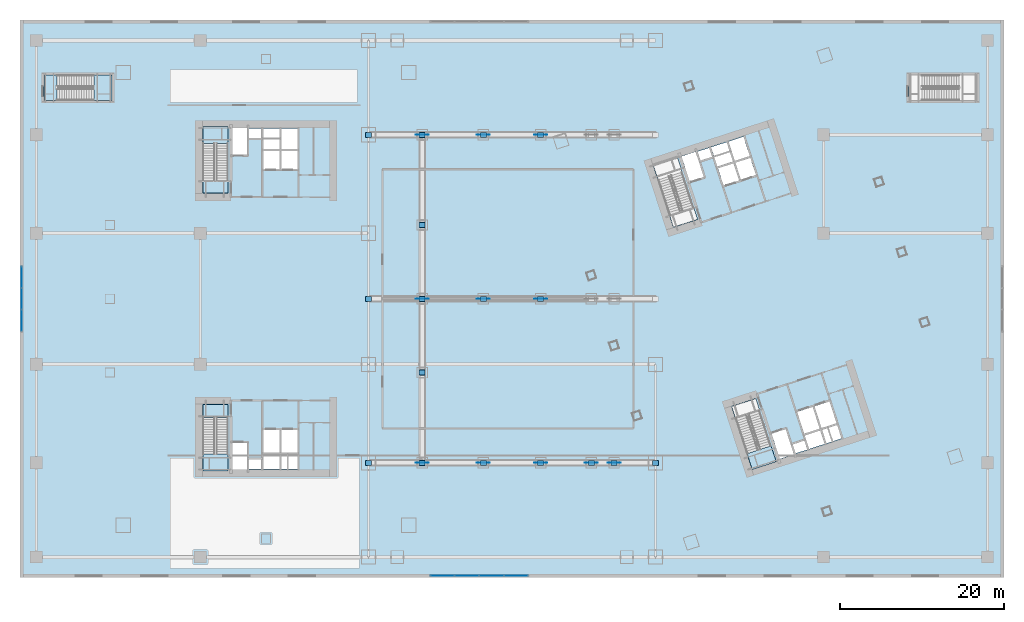
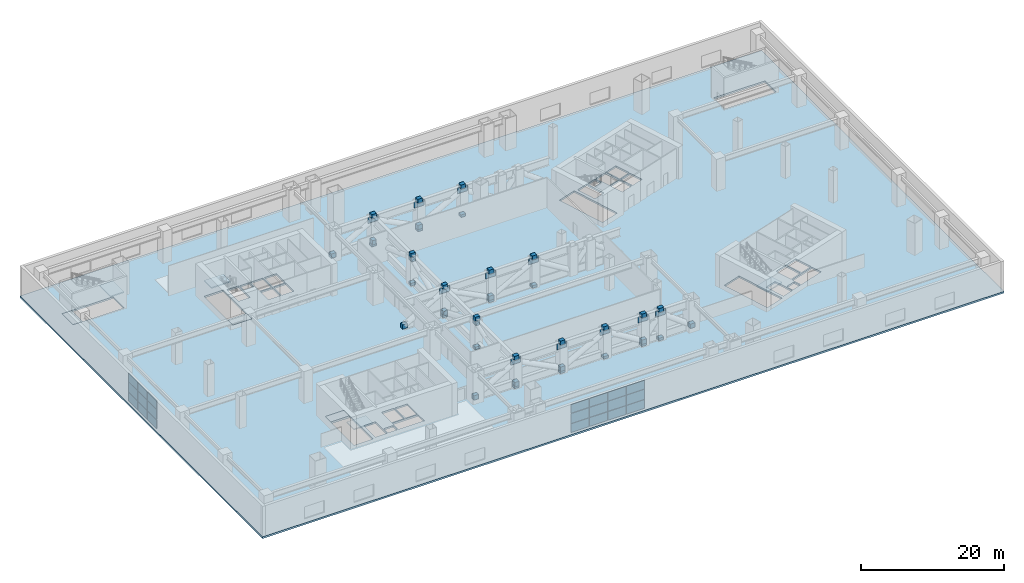
# One storey, part 21 of 34: 71 plates, 8 slabs, 6 elements without a shape of their own.
"""IFC4 building model written with IfcOpenShell, lengths in metres."""

from ifc_helpers import new_model, si_unit, direction, frame, origin, origin_2d, place, context, subcontext, project, spatial, polyline, rectangle, outline, extrude, material, layer, layer_set, type_object, element, aggregate, save


model = new_model("IFC4")

# Units and contexts
model_context = context("Model", 3, precision=1e-05, world=origin(), true_north=direction((0.0, 1.0)))
body_context = subcontext(model_context, "Body", "Model", "MODEL_VIEW")
ifc_project = project(units=[si_unit("LENGTHUNIT", "METRE"), si_unit("AREAUNIT", "SQUARE_METRE"), si_unit("VOLUMEUNIT", "CUBIC_METRE"), si_unit("PLANEANGLEUNIT", "RADIAN"), si_unit("MASSUNIT", "GRAM", prefix="KILO")], contexts=[model_context])

# Site, building, storey
site_placement = place(None, origin())
site = spatial("IfcSite", under=ifc_project, at=site_placement, CompositionType="ELEMENT")
building_placement = place(site_placement, origin())
building = spatial("IfcBuilding", under=site, at=building_placement, Name="Qiaolan Cultural Towers", CompositionType="ELEMENT")
storey_placement = place(building_placement, frame((0.0, 0.0, 16.5)))
storey = spatial("IfcBuildingStorey", under=building, at=storey_placement, Name="L03", CompositionType="ELEMENT", Elevation=16.5)

# Curtain wall, plates
ifc_material_1 = material(Name="Unitized Anodized Aluminium Curtain Wall System", Category="aluminium")
ifc_layer_1 = layer(ifc_material_1, 0.199951171875)
ifc_layer_set_1 = layer_set([ifc_layer_1], Name="Unitized Anodized Aluminium Curtain Wall System")
curtain_wall_type_1 = type_object("IfcCurtainWallType", Name="CWS-01", PredefinedType="NOTDEFINED", material=ifc_layer_set_1)
curtain_wall_1_placement = place(storey_placement, origin())
curtain_wall_1 = element("IfcCurtainWall", 1, at=curtain_wall_1_placement, inside=storey, type_object=curtain_wall_type_1, Name="L03 South Atrium Curtain Wall", PredefinedType="NOTDEFINED")
ifc_material_2 = material(Name="Laminated Low-E Insulating Glass Unit", Category="glass")
ifc_layer_2 = layer(ifc_material_2, 0.035888671875)
ifc_layer_set_2 = layer_set([ifc_layer_2], Name="Laminated Low-E Insulating Glass Unit")
plate_type_1 = type_object("IfcPlateType", Name="CWS-01-PNL", PredefinedType="CURTAIN_PANEL", material=ifc_layer_set_2)
plate_1_placement = place(storey_placement, frame((51.518798828125, 0.219970703125, 0.21484375), z_axis=(0.0, 0.0, 1.0), x_axis=(1.0, 0.0, 0.0)))
plate_1 = element("IfcPlate", 2, at=plate_1_placement, type_object=plate_type_1, Name="CW-1 panel 1.1", PredefinedType="CURTAIN_PANEL", context=body_context, shape_type="SweptSolid", body=[
    extrude(rectangle(XDim=2.887451171875, YDim=0.035888671875, at=origin_2d()), origin(), (0.0, 0.0, 1.0), 1.472412109375),
])
plate_2_placement = place(storey_placement, frame((51.518798828125, 0.219970703125, 1.75244140625), z_axis=(0.0, 0.0, 1.0), x_axis=(1.0, 0.0, 0.0)))
plate_2 = element("IfcPlate", 3, at=plate_2_placement, type_object=plate_type_1, Name="CW-1 panel 1.2", PredefinedType="CURTAIN_PANEL", context=body_context, shape_type="SweptSolid", body=[
    extrude(rectangle(XDim=2.887451171875, YDim=0.035888671875, at=origin_2d()), origin(), (0.0, 0.0, 1.0), 1.695068359375),
])
plate_3_placement = place(storey_placement, frame((51.518798828125, 0.219970703125, 3.5126953125), z_axis=(0.0, 0.0, 1.0), x_axis=(1.0, 0.0, 0.0)))
plate_3 = element("IfcPlate", 4, at=plate_3_placement, type_object=plate_type_1, Name="CW-1 panel 1.3", PredefinedType="CURTAIN_PANEL", context=body_context, shape_type="SweptSolid", body=[
    extrude(rectangle(XDim=2.887451171875, YDim=0.035888671875, at=origin_2d()), origin(), (0.0, 0.0, 1.0), 1.472412109375),
])
plate_4_placement = place(storey_placement, frame((54.5, 0.219970703125, 0.21484375), z_axis=(0.0, 0.0, 1.0), x_axis=(1.0, 0.0, 0.0)))
plate_4 = element("IfcPlate", 5, at=plate_4_placement, type_object=plate_type_1, Name="CW-1 panel 2.1", PredefinedType="CURTAIN_PANEL", context=body_context, shape_type="SweptSolid", body=[
    extrude(rectangle(XDim=2.925048828125, YDim=0.035888671875, at=origin_2d()), origin(), (0.0, 0.0, 1.0), 1.472412109375),
])
plate_5_placement = place(storey_placement, frame((54.5, 0.219970703125, 1.75244140625), z_axis=(0.0, 0.0, 1.0), x_axis=(1.0, 0.0, 0.0)))
plate_5 = element("IfcPlate", 6, at=plate_5_placement, type_object=plate_type_1, Name="CW-1 panel 2.2", PredefinedType="CURTAIN_PANEL", context=body_context, shape_type="SweptSolid", body=[
    extrude(rectangle(XDim=2.925048828125, YDim=0.035888671875, at=origin_2d()), origin(), (0.0, 0.0, 1.0), 1.695068359375),
])
plate_6_placement = place(storey_placement, frame((54.5, 0.219970703125, 3.5126953125), z_axis=(0.0, 0.0, 1.0), x_axis=(1.0, 0.0, 0.0)))
plate_6 = element("IfcPlate", 7, at=plate_6_placement, type_object=plate_type_1, Name="CW-1 panel 2.3", PredefinedType="CURTAIN_PANEL", context=body_context, shape_type="SweptSolid", body=[
    extrude(rectangle(XDim=2.925048828125, YDim=0.035888671875, at=origin_2d()), origin(), (0.0, 0.0, 1.0), 1.472412109375),
])
plate_7_placement = place(storey_placement, frame((57.5, 0.219970703125, 0.21484375), z_axis=(0.0, 0.0, 1.0), x_axis=(1.0, 0.0, 0.0)))
plate_7 = element("IfcPlate", 8, at=plate_7_placement, type_object=plate_type_1, Name="CW-1 panel 3.1", PredefinedType="CURTAIN_PANEL", context=body_context, shape_type="SweptSolid", body=[
    extrude(rectangle(XDim=2.925048828125, YDim=0.035888671875, at=origin_2d()), origin(), (0.0, 0.0, 1.0), 1.472412109375),
])
plate_8_placement = place(storey_placement, frame((57.5, 0.219970703125, 1.75244140625), z_axis=(0.0, 0.0, 1.0), x_axis=(1.0, 0.0, 0.0)))
plate_8 = element("IfcPlate", 9, at=plate_8_placement, type_object=plate_type_1, Name="CW-1 panel 3.2", PredefinedType="CURTAIN_PANEL", context=body_context, shape_type="SweptSolid", body=[
    extrude(rectangle(XDim=2.925048828125, YDim=0.035888671875, at=origin_2d()), origin(), (0.0, 0.0, 1.0), 1.695068359375),
])
plate_9_placement = place(storey_placement, frame((57.5, 0.219970703125, 3.5126953125), z_axis=(0.0, 0.0, 1.0), x_axis=(1.0, 0.0, 0.0)))
plate_9 = element("IfcPlate", 10, at=plate_9_placement, type_object=plate_type_1, Name="CW-1 panel 3.3", PredefinedType="CURTAIN_PANEL", context=body_context, shape_type="SweptSolid", body=[
    extrude(rectangle(XDim=2.925048828125, YDim=0.035888671875, at=origin_2d()), origin(), (0.0, 0.0, 1.0), 1.472412109375),
])
plate_10_placement = place(storey_placement, frame((60.481201171875, 0.219970703125, 0.21484375), z_axis=(0.0, 0.0, 1.0), x_axis=(1.0, 0.0, 0.0)))
plate_10 = element("IfcPlate", 11, at=plate_10_placement, type_object=plate_type_1, Name="CW-1 panel 4.1", PredefinedType="CURTAIN_PANEL", context=body_context, shape_type="SweptSolid", body=[
    extrude(rectangle(XDim=2.887451171875, YDim=0.035888671875, at=origin_2d()), origin(), (0.0, 0.0, 1.0), 1.472412109375),
])
plate_11_placement = place(storey_placement, frame((60.481201171875, 0.219970703125, 1.75244140625), z_axis=(0.0, 0.0, 1.0), x_axis=(1.0, 0.0, 0.0)))
plate_11 = element("IfcPlate", 12, at=plate_11_placement, type_object=plate_type_1, Name="CW-1 panel 4.2", PredefinedType="CURTAIN_PANEL", context=body_context, shape_type="SweptSolid", body=[
    extrude(rectangle(XDim=2.887451171875, YDim=0.035888671875, at=origin_2d()), origin(), (0.0, 0.0, 1.0), 1.695068359375),
])
plate_12_placement = place(storey_placement, frame((60.481201171875, 0.219970703125, 3.5126953125), z_axis=(0.0, 0.0, 1.0), x_axis=(1.0, 0.0, 0.0)))
plate_12 = element("IfcPlate", 13, at=plate_12_placement, type_object=plate_type_1, Name="CW-1 panel 4.3", PredefinedType="CURTAIN_PANEL", context=body_context, shape_type="SweptSolid", body=[
    extrude(rectangle(XDim=2.887451171875, YDim=0.035888671875, at=origin_2d()), origin(), (0.0, 0.0, 1.0), 1.472412109375),
])
aggregate(curtain_wall_1, [plate_1, plate_2, plate_3, plate_4, plate_5, plate_6, plate_7, plate_8, plate_9, plate_10, plate_11, plate_12])

ifc_material_3 = material(Name="Unitized Anodized Aluminium Curtain Wall System", Category="aluminium")
ifc_layer_3 = layer(ifc_material_3, 0.199951171875)
ifc_layer_set_3 = layer_set([ifc_layer_3], Name="Unitized Anodized Aluminium Curtain Wall System")
curtain_wall_type_2 = type_object("IfcCurtainWallType", Name="CWS-04", PredefinedType="NOTDEFINED", material=ifc_layer_set_3)
curtain_wall_2_placement = place(storey_placement, origin())
curtain_wall_2 = element("IfcCurtainWall", 14, at=curtain_wall_2_placement, inside=storey, type_object=curtain_wall_type_2, Name="L03 West Exhibition Foyer Curtain Wall", PredefinedType="NOTDEFINED")
ifc_material_4 = material(Name="Laminated Low-E Insulating Glass Unit", Category="glass")
ifc_layer_4 = layer(ifc_material_4, 0.035888671875)
ifc_layer_set_4 = layer_set([ifc_layer_4], Name="Laminated Low-E Insulating Glass Unit")
plate_type_2 = type_object("IfcPlateType", Name="CWS-04-PNL", PredefinedType="CURTAIN_PANEL", material=ifc_layer_set_4)
plate_13_placement = place(storey_placement, frame((0.219970703125, 31.35205078125, 0.21484375), z_axis=(0.0, 0.0, 1.0), x_axis=(0.0, 1.0, 0.0)))
plate_13 = element("IfcPlate", 15, at=plate_13_placement, type_object=plate_type_2, Name="CW-4 panel 1.1", PredefinedType="CURTAIN_PANEL", context=body_context, shape_type="SweptSolid", body=[
    extrude(rectangle(XDim=2.55419921875, YDim=0.035888671875, at=origin_2d()), origin(), (0.0, 0.0, 1.0), 1.472412109375),
])
plate_14_placement = place(storey_placement, frame((0.219970703125, 31.35205078125, 1.75244140625), z_axis=(0.0, 0.0, 1.0), x_axis=(0.0, 1.0, 0.0)))
plate_14 = element("IfcPlate", 16, at=plate_14_placement, type_object=plate_type_2, Name="CW-4 panel 1.2", PredefinedType="CURTAIN_PANEL", context=body_context, shape_type="SweptSolid", body=[
    extrude(rectangle(XDim=2.55419921875, YDim=0.035888671875, at=origin_2d()), origin(), (0.0, 0.0, 1.0), 1.695068359375),
])
plate_15_placement = place(storey_placement, frame((0.219970703125, 31.35205078125, 3.5126953125), z_axis=(0.0, 0.0, 1.0), x_axis=(0.0, 1.0, 0.0)))
plate_15 = element("IfcPlate", 17, at=plate_15_placement, type_object=plate_type_2, Name="CW-4 panel 1.3", PredefinedType="CURTAIN_PANEL", context=body_context, shape_type="SweptSolid", body=[
    extrude(rectangle(XDim=2.55419921875, YDim=0.035888671875, at=origin_2d()), origin(), (0.0, 0.0, 1.0), 1.472412109375),
])
plate_16_placement = place(storey_placement, frame((0.219970703125, 34.0, 0.21484375), z_axis=(0.0, 0.0, 1.0), x_axis=(0.0, 1.0, 0.0)))
plate_16 = element("IfcPlate", 18, at=plate_16_placement, type_object=plate_type_2, Name="CW-4 panel 2.1", PredefinedType="CURTAIN_PANEL", context=body_context, shape_type="SweptSolid", body=[
    extrude(rectangle(XDim=2.591552734375, YDim=0.035888671875, at=origin_2d()), origin(), (0.0, 0.0, 1.0), 1.472412109375),
])
plate_17_placement = place(storey_placement, frame((0.219970703125, 34.0, 1.75244140625), z_axis=(0.0, 0.0, 1.0), x_axis=(0.0, 1.0, 0.0)))
plate_17 = element("IfcPlate", 19, at=plate_17_placement, type_object=plate_type_2, Name="CW-4 panel 2.2", PredefinedType="CURTAIN_PANEL", context=body_context, shape_type="SweptSolid", body=[
    extrude(rectangle(XDim=2.591552734375, YDim=0.035888671875, at=origin_2d()), origin(), (0.0, 0.0, 1.0), 1.695068359375),
])
plate_18_placement = place(storey_placement, frame((0.219970703125, 34.0, 3.5126953125), z_axis=(0.0, 0.0, 1.0), x_axis=(0.0, 1.0, 0.0)))
plate_18 = element("IfcPlate", 20, at=plate_18_placement, type_object=plate_type_2, Name="CW-4 panel 2.3", PredefinedType="CURTAIN_PANEL", context=body_context, shape_type="SweptSolid", body=[
    extrude(rectangle(XDim=2.591552734375, YDim=0.035888671875, at=origin_2d()), origin(), (0.0, 0.0, 1.0), 1.472412109375),
])
plate_19_placement = place(storey_placement, frame((0.219970703125, 36.64794921875, 0.21484375), z_axis=(0.0, 0.0, 1.0), x_axis=(0.0, 1.0, 0.0)))
plate_19 = element("IfcPlate", 21, at=plate_19_placement, type_object=plate_type_2, Name="CW-4 panel 3.1", PredefinedType="CURTAIN_PANEL", context=body_context, shape_type="SweptSolid", body=[
    extrude(rectangle(XDim=2.55419921875, YDim=0.035888671875, at=origin_2d()), origin(), (0.0, 0.0, 1.0), 1.472412109375),
])
plate_20_placement = place(storey_placement, frame((0.219970703125, 36.64794921875, 1.75244140625), z_axis=(0.0, 0.0, 1.0), x_axis=(0.0, 1.0, 0.0)))
plate_20 = element("IfcPlate", 22, at=plate_20_placement, type_object=plate_type_2, Name="CW-4 panel 3.2", PredefinedType="CURTAIN_PANEL", context=body_context, shape_type="SweptSolid", body=[
    extrude(rectangle(XDim=2.55419921875, YDim=0.035888671875, at=origin_2d()), origin(), (0.0, 0.0, 1.0), 1.695068359375),
])
plate_21_placement = place(storey_placement, frame((0.219970703125, 36.64794921875, 3.5126953125), z_axis=(0.0, 0.0, 1.0), x_axis=(0.0, 1.0, 0.0)))
plate_21 = element("IfcPlate", 23, at=plate_21_placement, type_object=plate_type_2, Name="CW-4 panel 3.3", PredefinedType="CURTAIN_PANEL", context=body_context, shape_type="SweptSolid", body=[
    extrude(rectangle(XDim=2.55419921875, YDim=0.035888671875, at=origin_2d()), origin(), (0.0, 0.0, 1.0), 1.472412109375),
])
aggregate(curtain_wall_2, [plate_13, plate_14, plate_15, plate_16, plate_17, plate_18, plate_19, plate_20, plate_21])

# Plates
ifc_material_5 = material(Name="Steel Q355B", Category="steel")
ifc_layer_5 = layer(ifc_material_5, 0.035888671875)
ifc_layer_set_5 = layer_set([ifc_layer_5], Name="Steel Q355B")
plate_type_3 = type_object("IfcPlateType", Name="PL-CONN-36", PredefinedType="USERDEFINED", material=ifc_layer_set_5)
for number, where, z_axis, x_axis, name in (
    (24, (42.5, 14.0, 0.330078125), (0.0, 0.0, 1.0), (1.0, 0.0, 0.0), "L03 Brace End Connection Gusset Plate GP-02-0001"),
    (25, (56.5, 14.0, 0.330078125), (0.0, 0.0, 1.0), (1.0, 0.0, 0.0), "L03 Brace End Connection Gusset Plate GP-02-0002"),
    (26, (69.671875, 14.0, 0.330078125), (0.0, 0.0, 1.0), (1.0, 0.0, 0.0), "L03 Brace End Connection Gusset Plate GP-02-0003"),
    (27, (77.5, 14.0, 0.330078125), (0.0, 0.0, 1.0), (1.0, 0.0, 0.0), "L03 Brace End Connection Gusset Plate GP-02-0004"),
    (28, (49.050048828125, 14.0, -0.31982421875), (0.0, 0.0, 1.0), (1.0, 0.0, 0.0), "L03 Brace End Connection Gusset Plate GP-02-0005"),
    (29, (49.050048828125, 14.0, 4.77978515625), (0.0, 0.0, 1.0), (1.0, 0.0, 0.0), "L03 Brace End Connection Gusset Plate GP-02-0006"),
    (30, (56.5, 14.0, -0.31982421875), (0.0, 0.0, 1.0), (1.0, 0.0, 0.0), "L03 Brace End Connection Gusset Plate GP-02-0007"),
    (31, (56.5, 14.0, 4.77978515625), (0.0, 0.0, 1.0), (1.0, 0.0, 0.0), "L03 Brace End Connection Gusset Plate GP-02-0008"),
    (32, (63.5, 14.0, -0.31982421875), (0.0, 0.0, 1.0), (1.0, 0.0, 0.0), "L03 Brace End Connection Gusset Plate GP-02-0009"),
    (33, (63.5, 14.0, 4.77978515625), (0.0, 0.0, 1.0), (1.0, 0.0, 0.0), "L03 Brace End Connection Gusset Plate GP-02-0010"),
    (34, (69.671875, 14.0, -0.31982421875), (0.0, 0.0, 1.0), (1.0, 0.0, 0.0), "L03 Brace End Connection Gusset Plate GP-02-0011"),
    (35, (69.671875, 14.0, 4.77978515625), (0.0, 0.0, 1.0), (1.0, 0.0, 0.0), "L03 Brace End Connection Gusset Plate GP-02-0012"),
    (36, (72.453125, 14.0, -0.31982421875), (0.0, 0.0, 1.0), (1.0, 0.0, 0.0), "L03 Brace End Connection Gusset Plate GP-02-0013"),
    (37, (72.453125, 14.0, 4.77978515625), (0.0, 0.0, 1.0), (1.0, 0.0, 0.0), "L03 Brace End Connection Gusset Plate GP-02-0014"),
    (38, (42.5, 34.0, 0.330078125), (0.0, 0.0, 1.0), (1.0, 0.0, 0.0), "L03 Brace End Connection Gusset Plate GP-02-0015"),
    (39, (56.5, 34.0, 0.330078125), (0.0, 0.0, 1.0), (1.0, 0.0, 0.0), "L03 Brace End Connection Gusset Plate GP-02-0016"),
    (40, (49.050048828125, 34.0, -0.31982421875), (0.0, 0.0, 1.0), (1.0, 0.0, 0.0), "L03 Brace End Connection Gusset Plate GP-02-0019"),
    (41, (49.050048828125, 34.0, 4.77978515625), (0.0, 0.0, 1.0), (1.0, 0.0, 0.0), "L03 Brace End Connection Gusset Plate GP-02-0020"),
    (42, (56.5, 34.0, -0.31982421875), (0.0, 0.0, 1.0), (1.0, 0.0, 0.0), "L03 Brace End Connection Gusset Plate GP-02-0021"),
    (43, (56.5, 34.0, 4.77978515625), (0.0, 0.0, 1.0), (1.0, 0.0, 0.0), "L03 Brace End Connection Gusset Plate GP-02-0022"),
    (44, (63.5, 34.0, -0.31982421875), (0.0, 0.0, 1.0), (1.0, 0.0, 0.0), "L03 Brace End Connection Gusset Plate GP-02-0023"),
    (45, (63.5, 34.0, 4.77978515625), (0.0, 0.0, 1.0), (1.0, 0.0, 0.0), "L03 Brace End Connection Gusset Plate GP-02-0024"),
    (46, (42.5, 54.0, 0.330078125), (0.0, 0.0, 1.0), (1.0, 0.0, 0.0), "L03 Brace End Connection Gusset Plate GP-02-0029"),
    (47, (56.5, 54.0, 0.330078125), (0.0, 0.0, 1.0), (1.0, 0.0, 0.0), "L03 Brace End Connection Gusset Plate GP-02-0030"),
    (48, (49.050048828125, 54.0, -0.31982421875), (0.0, 0.0, 1.0), (1.0, 0.0, 0.0), "L03 Brace End Connection Gusset Plate GP-02-0033"),
    (49, (49.050048828125, 54.0, 4.77978515625), (0.0, 0.0, 1.0), (1.0, 0.0, 0.0), "L03 Brace End Connection Gusset Plate GP-02-0034"),
    (50, (56.5, 54.0, -0.31982421875), (0.0, 0.0, 1.0), (1.0, 0.0, 0.0), "L03 Brace End Connection Gusset Plate GP-02-0035"),
    (51, (56.5, 54.0, 4.77978515625), (0.0, 0.0, 1.0), (1.0, 0.0, 0.0), "L03 Brace End Connection Gusset Plate GP-02-0036"),
    (52, (63.5, 54.0, -0.31982421875), (0.0, 0.0, 1.0), (1.0, 0.0, 0.0), "L03 Brace End Connection Gusset Plate GP-02-0037"),
    (53, (63.5, 54.0, 4.77978515625), (0.0, 0.0, 1.0), (1.0, 0.0, 0.0), "L03 Brace End Connection Gusset Plate GP-02-0038"),
    (54, (49.050048828125, 25.0, -0.31982421875), (0.0, 0.0, 1.0), (1.0, 0.0, 0.0), "L03 Brace End Connection Gusset Plate GP-02-0043"),
    (55, (49.050048828125, 25.0, 4.77978515625), (0.0, 0.0, 1.0), (1.0, 0.0, 0.0), "L03 Brace End Connection Gusset Plate GP-02-0044"),
    (56, (49.050048828125, 14.0, 0.330078125), (0.0, 0.0, 1.0), (0.0, 1.0, 0.0), "L03 Brace End Connection Gusset Plate GP-02-0045"),
    (57, (49.050048828125, 25.0, 4.1298828125), (0.0, 0.0, 1.0), (0.0, 1.0, 0.0), "L03 Brace End Connection Gusset Plate GP-02-0046"),
    (58, (49.050048828125, 34.0, 0.330078125), (0.0, 0.0, 1.0), (0.0, 1.0, 0.0), "L03 Brace End Connection Gusset Plate GP-02-0047"),
    (59, (49.050048828125, 43.0, -0.31982421875), (0.0, 0.0, 1.0), (1.0, 0.0, 0.0), "L03 Brace End Connection Gusset Plate GP-02-0048"),
    (60, (49.050048828125, 43.0, 4.77978515625), (0.0, 0.0, 1.0), (1.0, 0.0, 0.0), "L03 Brace End Connection Gusset Plate GP-02-0049"),
    (61, (49.050048828125, 43.0, 4.1298828125), (0.0, 0.0, 1.0), (0.0, 1.0, 0.0), "L03 Brace End Connection Gusset Plate GP-02-0050"),
    (62, (49.050048828125, 54.0, 0.330078125), (0.0, 0.0, 1.0), (0.0, 1.0, 0.0), "L03 Brace End Connection Gusset Plate GP-02-0051"),
):
    element("IfcPlate", number, at=place(storey_placement, frame(where, z_axis=z_axis, x_axis=x_axis)), inside=storey, type_object=plate_type_3, Name=name, ObjectType="GUSSET_PLATE", PredefinedType="USERDEFINED", context=body_context, shape_type="SweptSolid", body=[
        extrude(rectangle(XDim=0.739990234375, YDim=0.6201171875, at=origin_2d()), origin(), (0.0, 0.0, 1.0), 0.739990234375),
    ])
ifc_material_6 = material(Name="Steel Q390GJB", Category="steel")
ifc_layer_6 = layer(ifc_material_6, 0.0458984375)
ifc_layer_set_6 = layer_set([ifc_layer_6], Name="Steel Q390GJB")
plate_type_4 = type_object("IfcPlateType", Name="PL-NODE-ND03", PredefinedType="USERDEFINED", material=ifc_layer_set_6)
plate_22_placement = place(storey_placement, frame((49.050048828125, 14.0, 4.0), z_axis=(0.0, 0.0, 1.0), x_axis=(1.0, 0.0, 0.0)))
element("IfcPlate", 63, at=plate_22_placement, inside=storey, type_object=plate_type_4, Name="Transfer Truss Node Gusset Assembly ND-03", ObjectType="GUSSET_PLATE", PredefinedType="USERDEFINED", context=body_context, shape_type="SweptSolid", body=[
    extrude(rectangle(XDim=1.60009765625, YDim=0.044921875, at=origin_2d()), origin(), (0.0, 0.0, 1.0), 1.0),
])
ifc_material_7 = material(Name="Steel Q390GJB", Category="steel")
ifc_layer_7 = layer(ifc_material_7, 0.0400390625)
ifc_layer_set_7 = layer_set([ifc_layer_7], Name="Steel Q390GJB")
plate_type_5 = type_object("IfcPlateType", Name="PL-NODE-ND04", PredefinedType="USERDEFINED", material=ifc_layer_set_7)
for number, where, z_axis, x_axis, name in (
    (64, (56.5, 14.0, 4.0), (0.0, 0.0, 1.0), (1.0, 0.0, 0.0), "Transfer Truss Node Gusset Assembly ND-04"),
    (65, (49.050048828125, 34.0, 4.0), (0.0, 0.0, 1.0), (1.0, 0.0, 0.0), "Transfer Truss Node Gusset Assembly ND-04"),
):
    element("IfcPlate", number, at=place(storey_placement, frame(where, z_axis=z_axis, x_axis=x_axis)), inside=storey, type_object=plate_type_5, Name=name, ObjectType="GUSSET_PLATE", PredefinedType="USERDEFINED", context=body_context, shape_type="SweptSolid", body=[
        extrude(rectangle(XDim=1.60009765625, YDim=0.044921875, at=origin_2d()), origin(), (0.0, 0.0, 1.0), 1.0),
    ])
ifc_material_8 = material(Name="Steel Q390GJB", Category="steel")
ifc_layer_8 = layer(ifc_material_8, 0.0419921875)
ifc_layer_set_8 = layer_set([ifc_layer_8], Name="Steel Q390GJB")
plate_type_6 = type_object("IfcPlateType", Name="PL-NODE-ND05", PredefinedType="USERDEFINED", material=ifc_layer_set_8)
for number, where, z_axis, x_axis, name in (
    (66, (63.5, 14.0, 4.0), (0.0, 0.0, 1.0), (1.0, 0.0, 0.0), "Transfer Truss Node Gusset Assembly ND-05"),
    (67, (56.5, 34.0, 4.0), (0.0, 0.0, 1.0), (1.0, 0.0, 0.0), "Transfer Truss Node Gusset Assembly ND-05"),
    (68, (49.050048828125, 54.0, 4.0), (0.0, 0.0, 1.0), (1.0, 0.0, 0.0), "Transfer Truss Node Gusset Assembly ND-05"),
):
    element("IfcPlate", number, at=place(storey_placement, frame(where, z_axis=z_axis, x_axis=x_axis)), inside=storey, type_object=plate_type_6, Name=name, ObjectType="GUSSET_PLATE", PredefinedType="USERDEFINED", context=body_context, shape_type="SweptSolid", body=[
        extrude(rectangle(XDim=1.60009765625, YDim=0.044921875, at=origin_2d()), origin(), (0.0, 0.0, 1.0), 1.0),
    ])
ifc_material_9 = material(Name="Steel Q390GJB", Category="steel")
ifc_layer_9 = layer(ifc_material_9, 0.0439453125)
ifc_layer_set_9 = layer_set([ifc_layer_9], Name="Steel Q390GJB")
plate_type_7 = type_object("IfcPlateType", Name="PL-NODE-ND06", PredefinedType="USERDEFINED", material=ifc_layer_set_9)
for number, where, z_axis, x_axis, name in (
    (69, (69.671875, 14.0, 4.0), (0.0, 0.0, 1.0), (1.0, 0.0, 0.0), "Transfer Truss Node Gusset Assembly ND-06"),
    (70, (63.5, 34.0, 4.0), (0.0, 0.0, 1.0), (1.0, 0.0, 0.0), "Transfer Truss Node Gusset Assembly ND-06"),
    (71, (56.5, 54.0, 4.0), (0.0, 0.0, 1.0), (1.0, 0.0, 0.0), "Transfer Truss Node Gusset Assembly ND-06"),
):
    element("IfcPlate", number, at=place(storey_placement, frame(where, z_axis=z_axis, x_axis=x_axis)), inside=storey, type_object=plate_type_7, Name=name, ObjectType="GUSSET_PLATE", PredefinedType="USERDEFINED", context=body_context, shape_type="SweptSolid", body=[
        extrude(rectangle(XDim=1.60009765625, YDim=0.044921875, at=origin_2d()), origin(), (0.0, 0.0, 1.0), 1.0),
    ])
ifc_material_10 = material(Name="Steel Q390GJB", Category="steel")
ifc_layer_10 = layer(ifc_material_10, 0.0458984375)
ifc_layer_set_10 = layer_set([ifc_layer_10], Name="Steel Q390GJB")
plate_type_8 = type_object("IfcPlateType", Name="PL-NODE-ND07", PredefinedType="USERDEFINED", material=ifc_layer_set_10)
for number, where, z_axis, x_axis, name in (
    (72, (72.453125, 14.0, 4.0), (0.0, 0.0, 1.0), (1.0, 0.0, 0.0), "Transfer Truss Node Gusset Assembly ND-07"),
    (73, (63.5, 54.0, 4.0), (0.0, 0.0, 1.0), (1.0, 0.0, 0.0), "Transfer Truss Node Gusset Assembly ND-07"),
):
    element("IfcPlate", number, at=place(storey_placement, frame(where, z_axis=z_axis, x_axis=x_axis)), inside=storey, type_object=plate_type_8, Name=name, ObjectType="GUSSET_PLATE", PredefinedType="USERDEFINED", context=body_context, shape_type="SweptSolid", body=[
        extrude(rectangle(XDim=1.60009765625, YDim=0.044921875, at=origin_2d()), origin(), (0.0, 0.0, 1.0), 1.0),
    ])

# Slab
ifc_material_11 = material(Name="Concrete C50", Category="concrete")
ifc_layer_11 = layer(ifc_material_11, 0.300048828125)
ifc_layer_set_11 = layer_set([ifc_layer_11], Name="Concrete C50")
slab_type_1 = type_object("IfcSlabType", Name="SL-POD-300", PredefinedType="FLOOR", material=ifc_layer_set_11)
slab_1_placement = place(storey_placement, frame((0.0, 0.0, -0.300048828125)))
element("IfcSlab", 74, at=slab_1_placement, inside=storey, type_object=slab_type_1, Name="L03 Structural Floor Slab", PredefinedType="FLOOR", context=body_context, shape_type="SweptSolid", body=[
    extrude(outline(polyline([(0.0, 0.0), (120.0, 0.0), (120.0, 68.0), (0.0, 68.0), (0.0, 0.0)]), holes=[polyline([(22.300048828125, 21.10009765625), (22.300048828125, 13.0), (25.3798828125, 13.0), (25.3798828125, 21.10009765625), (22.300048828125, 21.10009765625)]), polyline([(25.3798828125, 46.89990234375), (25.3798828125, 55.0), (22.300048828125, 55.0), (22.300048828125, 46.89990234375), (25.3798828125, 46.89990234375)]), polyline([(86.80126953125, 20.868896484375), (89.30419921875, 13.165283203125), (92.2333984375, 14.116943359375), (89.73046875, 21.820556640625), (86.80126953125, 20.868896484375)]), polyline([(82.623046875, 43.69482421875), (80.1201171875, 51.3984375), (77.190673828125, 50.44677734375), (79.69384765625, 42.7431640625), (82.623046875, 43.69482421875)]), polyline([(2.89990234375, 58.199951171875), (11.199951171875, 58.199951171875), (11.199951171875, 61.300048828125), (2.89990234375, 61.300048828125), (2.89990234375, 58.199951171875)]), polyline([(108.39990234375, 58.199951171875), (116.699951171875, 58.199951171875), (116.699951171875, 61.300048828125), (108.39990234375, 61.300048828125), (108.39990234375, 58.199951171875)]), polyline([(25.89990234375, 13.199951171875), (27.75, 13.199951171875), (27.75, 16.449951171875), (25.89990234375, 16.449951171875), (25.89990234375, 13.199951171875)]), polyline([(27.93994140625, 13.25), (29.449951171875, 13.25), (29.449951171875, 14.419921875), (27.93994140625, 14.419921875), (27.93994140625, 13.25)]), polyline([(29.679931640625, 15.199951171875), (31.679931640625, 15.199951171875), (31.679931640625, 18.0), (29.679931640625, 18.0), (29.679931640625, 15.199951171875)]), polyline([(31.8798828125, 15.199951171875), (33.820068359375, 15.199951171875), (33.820068359375, 18.0), (31.8798828125, 18.0), (31.8798828125, 15.199951171875)]), polyline([(29.679931640625, 13.25), (33.820068359375, 13.25), (33.820068359375, 14.97998046875), (29.679931640625, 14.97998046875), (29.679931640625, 13.25)]), polyline([(25.89990234375, 51.550048828125), (27.75, 51.550048828125), (27.75, 54.800048828125), (25.89990234375, 54.800048828125), (25.89990234375, 51.550048828125)]), polyline([(27.93994140625, 53.580078125), (29.449951171875, 53.580078125), (29.449951171875, 54.75), (27.93994140625, 54.75), (27.93994140625, 53.580078125)]), polyline([(29.679931640625, 49.820068359375), (31.679931640625, 49.820068359375), (31.679931640625, 52.080078125), (29.679931640625, 52.080078125), (29.679931640625, 49.820068359375)]), polyline([(31.8798828125, 49.820068359375), (33.820068359375, 49.820068359375), (33.820068359375, 52.080078125), (31.8798828125, 52.080078125), (31.8798828125, 49.820068359375)]), polyline([(29.679931640625, 52.27001953125), (31.659912109375, 52.27001953125), (31.659912109375, 54.75), (29.679931640625, 54.75), (29.679931640625, 52.27001953125)]), polyline([(31.8798828125, 52.27001953125), (33.820068359375, 52.27001953125), (33.820068359375, 54.75), (31.8798828125, 54.75), (31.8798828125, 52.27001953125)]), polyline([(92.666259765625, 14.468017578125), (94.42578125, 15.03955078125), (93.42138671875, 18.130615234375), (91.661865234375, 17.558837890625), (92.666259765625, 14.468017578125)]), polyline([(94.5908203125, 15.14599609375), (96.027099609375, 15.612548828125), (95.66552734375, 16.725341796875), (94.2294921875, 16.258544921875), (94.5908203125, 15.14599609375)]), polyline([(95.643310546875, 17.5380859375), (97.54541015625, 18.15625), (96.68017578125, 20.819091796875), (94.77783203125, 20.201171875), (95.643310546875, 17.5380859375)]), polyline([(97.735595703125, 18.218017578125), (99.58056640625, 18.8173828125), (98.71533203125, 21.48046875), (96.870361328125, 20.880859375), (97.735595703125, 18.218017578125)]), polyline([(96.245849609375, 15.68359375), (100.18310546875, 16.962890625), (99.6484375, 18.608154296875), (95.711181640625, 17.328857421875), (96.245849609375, 15.68359375)]), polyline([(81.6806640625, 48.278076171875), (83.440185546875, 48.849609375), (82.435791015625, 51.940673828125), (80.67626953125, 51.368896484375), (81.6806640625, 48.278076171875)]), polyline([(82.993408203125, 50.839111328125), (84.4296875, 51.3056640625), (84.068115234375, 52.41845703125), (82.632080078125, 51.95166015625), (82.993408203125, 50.839111328125)]), polyline([(85.810302734375, 47.80078125), (87.71240234375, 48.418701171875), (87.013916015625, 50.568115234375), (85.11181640625, 49.9501953125), (85.810302734375, 47.80078125)]), polyline([(87.902587890625, 48.480712890625), (89.74755859375, 49.080078125), (89.04931640625, 51.2294921875), (87.2041015625, 50.6298828125), (87.902587890625, 48.480712890625)]), polyline([(85.05322265625, 50.130859375), (86.936279296875, 50.74267578125), (86.169921875, 53.101318359375), (84.286865234375, 52.489501953125), (85.05322265625, 50.130859375)]), polyline([(87.1455078125, 50.810791015625), (88.990478515625, 51.41015625), (88.22412109375, 53.768798828125), (86.379150390625, 53.169189453125), (87.1455078125, 50.810791015625)])]), origin(), (0.0, 0.0, 1.0), 0.300048828125),
])

# Stair, slab
ifc_material_12 = material(Name="Concrete C45", Category="concrete")
stair_type_1 = type_object("IfcStairType", Name="STR-CORE-1500", PredefinedType="HALF_TURN_STAIR", material=ifc_material_12)
stair_1_placement = place(storey_placement, origin())
stair_1 = element("IfcStair", 75, at=stair_1_placement, inside=storey, type_object=stair_type_1, Name="L03 Smokeproof Exit Stair ST-W1", PredefinedType="HALF_TURN_STAIR")
ifc_material_13 = material(Name="Concrete C45", Category="concrete")
ifc_layer_12 = layer(ifc_material_13, 0.199951171875)
ifc_layer_set_12 = layer_set([ifc_layer_12], Name="Concrete C45")
slab_type_2 = type_object("IfcSlabType", Name="SL-STAIR-LAND", PredefinedType="LANDING", material=ifc_layer_set_12)
slab_2_placement = place(storey_placement, frame((0.0, 0.0, 2.550048828125)))
slab_2 = element("IfcSlab", 76, at=slab_2_placement, type_object=slab_type_2, Name="ST-W1 landing 1", PredefinedType="LANDING", context=body_context, shape_type="SweptSolid", body=[
    extrude(outline(polyline([(22.300048828125, 15.05126953125), (22.300048828125, 13.0), (25.3798828125, 13.0), (25.3798828125, 15.05126953125), (22.300048828125, 15.05126953125)])), origin(), (0.0, 0.0, 1.0), 0.199951171875),
])
aggregate(stair_1, [slab_2])

stair_2_placement = place(storey_placement, origin())
stair_2 = element("IfcStair", 77, at=stair_2_placement, inside=storey, type_object=stair_type_1, Name="L03 Smokeproof Exit Stair ST-W2", PredefinedType="HALF_TURN_STAIR")
slab_3_placement = place(storey_placement, frame((0.0, 0.0, 2.550048828125)))
slab_3 = element("IfcSlab", 78, at=slab_3_placement, type_object=slab_type_2, Name="ST-W2 landing 1", PredefinedType="LANDING", context=body_context, shape_type="SweptSolid", body=[
    extrude(outline(polyline([(25.3798828125, 52.94873046875), (25.3798828125, 55.0), (22.300048828125, 55.0), (22.300048828125, 52.94873046875), (25.3798828125, 52.94873046875)])), origin(), (0.0, 0.0, 1.0), 0.199951171875),
])
aggregate(stair_2, [slab_3])

stair_3_placement = place(storey_placement, origin())
stair_3 = element("IfcStair", 79, at=stair_3_placement, inside=storey, type_object=stair_type_1, Name="L03 Smokeproof Exit Stair ST-E1", PredefinedType="HALF_TURN_STAIR")
slab_4_placement = place(storey_placement, frame((0.0, 0.0, 2.550048828125)))
slab_4 = element("IfcSlab", 80, at=slab_4_placement, type_object=slab_type_2, Name="ST-E1 landing 1", PredefinedType="LANDING", context=body_context, shape_type="SweptSolid", body=[
    extrude(outline(polyline([(88.67041015625, 15.1162109375), (89.30419921875, 13.165283203125), (92.2333984375, 14.116943359375), (91.599609375, 16.06787109375), (88.67041015625, 15.1162109375)])), origin(), (0.0, 0.0, 1.0), 0.199951171875),
])
aggregate(stair_3, [slab_4])

ifc_material_14 = material(Name="Concrete C45", Category="concrete")
stair_type_2 = type_object("IfcStairType", Name="STR-POD-1650", PredefinedType="HALF_TURN_STAIR", material=ifc_material_14)
stair_4_placement = place(storey_placement, origin())
stair_4 = element("IfcStair", 81, at=stair_4_placement, inside=storey, type_object=stair_type_2, Name="L03 Podium Northwest Exit Stair ST-P1", PredefinedType="HALF_TURN_STAIR")
slab_5_placement = place(storey_placement, frame((0.0, 0.0, 2.550048828125)))
slab_5 = element("IfcSlab", 82, at=slab_5_placement, type_object=slab_type_2, Name="ST-P1 landing 1", PredefinedType="LANDING", context=body_context, shape_type="SweptSolid", body=[
    extrude(outline(polyline([(8.998779296875, 58.199951171875), (11.199951171875, 58.199951171875), (11.199951171875, 61.300048828125), (8.998779296875, 61.300048828125), (8.998779296875, 58.199951171875)])), origin(), (0.0, 0.0, 1.0), 0.199951171875),
])
aggregate(stair_4, [slab_5])

# Slabs
ifc_material_15 = material(Name="Concrete C40", Category="concrete")
ifc_layer_13 = layer(ifc_material_15, 0.360107421875)
ifc_layer_set_13 = layer_set([ifc_layer_13], Name="Concrete C40")
slab_type_3 = type_object("IfcSlabType", Name="SL-STFLR-360", PredefinedType="LANDING", material=ifc_layer_set_13)
slab_6_placement = place(storey_placement, frame((0.0, 0.0, -0.360107421875)))
element("IfcSlab", 83, at=slab_6_placement, inside=storey, type_object=slab_type_3, Name="L03 ST-W1 Stair Floor Landing Slab", PredefinedType="LANDING", context=body_context, shape_type="SweptSolid", body=[
    extrude(outline(polyline([(22.302001953125, 21.097900390625), (22.302001953125, 19.548583984375), (25.3779296875, 19.548583984375), (25.3779296875, 21.097900390625), (22.302001953125, 21.097900390625)])), origin(), (0.0, 0.0, 1.0), 0.360107421875),
])
slab_7_placement = place(storey_placement, frame((0.0, 0.0, -0.360107421875)))
element("IfcSlab", 84, at=slab_7_placement, inside=storey, type_object=slab_type_3, Name="L03 ST-W2 Stair Floor Landing Slab", PredefinedType="LANDING", context=body_context, shape_type="SweptSolid", body=[
    extrude(outline(polyline([(25.3779296875, 46.902099609375), (25.3779296875, 48.451416015625), (22.302001953125, 48.451416015625), (22.302001953125, 46.902099609375), (25.3779296875, 46.902099609375)])), origin(), (0.0, 0.0, 1.0), 0.360107421875),
])
slab_8_placement = place(storey_placement, frame((0.0, 0.0, -0.360107421875)))
element("IfcSlab", 85, at=slab_8_placement, inside=storey, type_object=slab_type_3, Name="L03 ST-P1 Stair Floor Landing Slab", PredefinedType="LANDING", context=body_context, shape_type="SweptSolid", body=[
    extrude(outline(polyline([(2.902099609375, 58.201904296875), (4.501220703125, 58.201904296875), (4.501220703125, 61.298095703125), (2.902099609375, 61.298095703125), (2.902099609375, 58.201904296875)])), origin(), (0.0, 0.0, 1.0), 0.360107421875),
])

save(model, "model.ifc")
